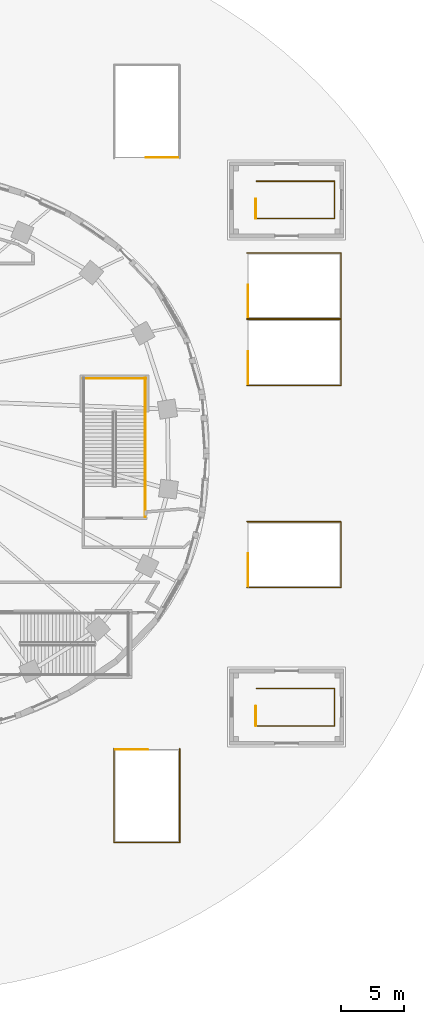
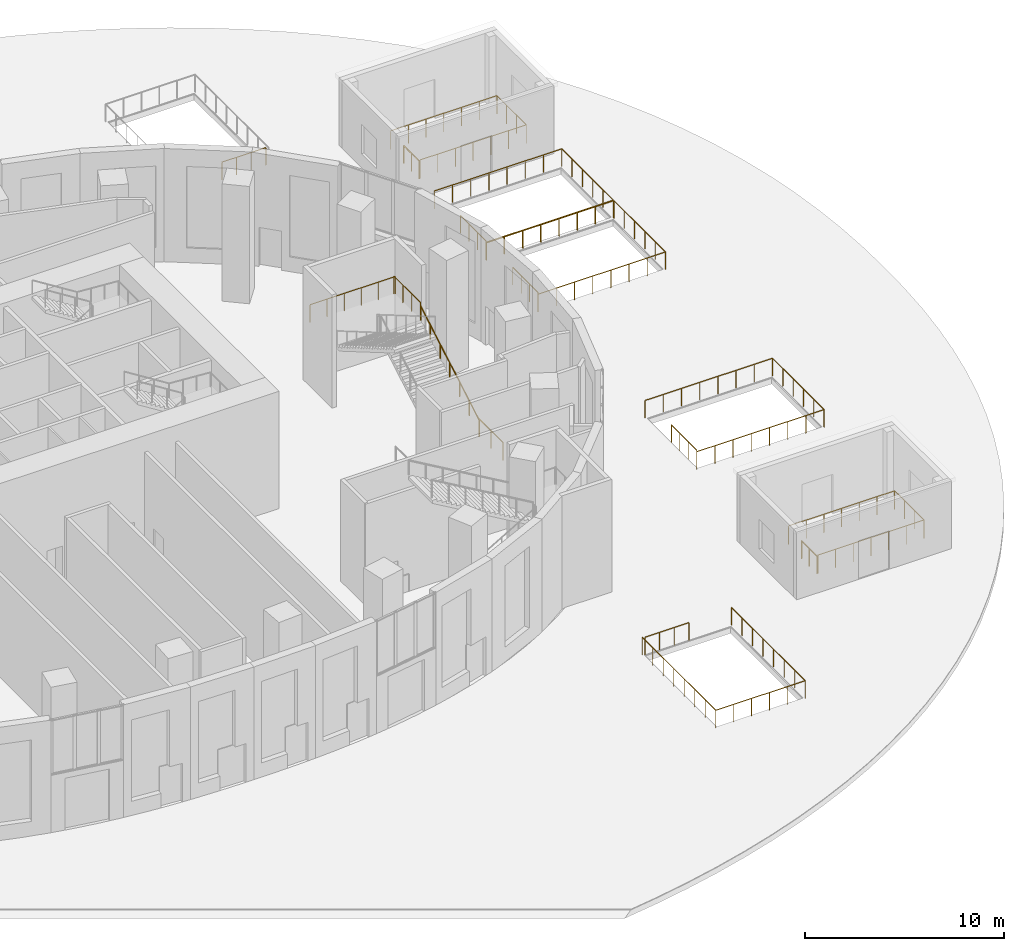
# One storey, part 26 of 27: 17 railings.
"""IFC4 building model written with IfcOpenShell, lengths in metres."""

import ifcopenshell
import ifcopenshell.guid

model = None  # the IFC model being written
_history = None  # IfcOwnerHistory: only IFC2X3 demands one
_inside = {}  # id of a spatial element -> (the spatial element, [elements in it])
_under = {}  # id of a project, library or spatial element -> (it, [spatial elements below it])
_declared = {}  # id of a project -> (the project, [libraries it declares])
_typed = {}  # id of a type object -> (the type object, [elements of that type])
_made_of = {}  # id of a material, layer set ... -> (it, [elements and type objects made of it])


def new_model(schema):
    """Start an empty IFC model of exactly this schema.

    Asked for "IFC4X3", IfcOpenShell would pick the latest addendum, in which some entities
    have other attributes; the version numbers below select the first issue.
    IFC2X3 requires an IfcOwnerHistory on every rooted entity: one is made here for all.
    """
    global model, _history
    if schema == "IFC4X3":
        model = ifcopenshell.file(schema_version=(4, 3, 0, 0))
    else:
        model = ifcopenshell.file(schema=schema)
    _inside.clear()
    _under.clear()
    _declared.clear()
    _typed.clear()
    _made_of.clear()
    _history = None
    if model.schema == "IFC2X3":
        org = make("IfcOrganization", Name="unknown")
        user = make(
            "IfcPersonAndOrganization",
            ThePerson=make("IfcPerson", FamilyName="unknown"),
            TheOrganization=org,
        )
        app = make(
            "IfcApplication",
            ApplicationDeveloper=org,
            Version="unknown",
            ApplicationFullName="unknown",
            ApplicationIdentifier="unknown",
        )
        _history = make(
            "IfcOwnerHistory",
            OwningUser=user,
            OwningApplication=app,
            ChangeAction="ADDED",
            CreationDate=0,
        )
    return model


def make(cls, **values):
    """One entity of the class cls with the attributes given. An attribute that is None is left unset."""
    return model.create_entity(
        cls, **{name: value for name, value in values.items() if value is not None}
    )


def rooted(cls, **values):
    """An entity with a GlobalId (a new one), such as an element, a storey or a relation."""
    return make(cls, GlobalId=ifcopenshell.guid.new(), OwnerHistory=_history, **values)


def si_unit(unit_type, name, prefix=None):
    """IfcSIUnit, for example si_unit("LENGTHUNIT", "METRE", prefix="MILLI")."""
    return make("IfcSIUnit", UnitType=unit_type, Prefix=prefix, Name=name)


def assignment(units):
    """IfcUnitAssignment: the units of a project."""
    return None if units is None else make("IfcUnitAssignment", Units=units)


def point(xyz):
    """IfcCartesianPoint."""
    return None if xyz is None else make("IfcCartesianPoint", Coordinates=xyz)


def direction(xyz):
    """IfcDirection."""
    return None if xyz is None else make("IfcDirection", DirectionRatios=xyz)


def frame(location, z_axis=None, x_axis=None):
    """IfcAxis2Placement3D, a coordinate frame: its origin and axes. An axis left out is left unset."""
    return make(
        "IfcAxis2Placement3D",
        Location=point(location),
        Axis=direction(z_axis),
        RefDirection=direction(x_axis),
    )


def frame_2d(location, x_axis=None):
    """IfcAxis2Placement2D, a coordinate frame in the plane: its origin and x axis."""
    return make(
        "IfcAxis2Placement2D", Location=point(location), RefDirection=direction(x_axis)
    )


def origin():
    """The frame at (0, 0, 0) with its axes left unset."""
    return frame((0.0, 0.0, 0.0))


def origin_2d():
    """The frame at (0, 0) in the plane with its x axis left unset."""
    return frame_2d((0.0, 0.0))


def place(relative_to, where):
    """IfcLocalPlacement: puts the frame where relative to a parent placement (None: the world)."""
    return make(
        "IfcLocalPlacement", PlacementRelTo=relative_to, RelativePlacement=where
    )


def context(
    kind, dimensions, precision=None, world=None, true_north=None, identifier=None
):
    """IfcGeometricRepresentationContext, for example the 3D "Model" context."""
    return make(
        "IfcGeometricRepresentationContext",
        ContextIdentifier=identifier,
        ContextType=kind,
        CoordinateSpaceDimension=dimensions,
        Precision=precision,
        WorldCoordinateSystem=world,
        TrueNorth=true_north,
    )


def subcontext(parent, identifier, kind, view, scale=None):
    """IfcGeometricRepresentationSubContext, for example "Body" below "Model"."""
    return make(
        "IfcGeometricRepresentationSubContext",
        ContextIdentifier=identifier,
        ContextType=kind,
        ParentContext=parent,
        TargetScale=scale,
        TargetView=view,
    )


def project(units=None, contexts=None):
    """IfcProject with its units and contexts."""
    return rooted(
        "IfcProject",
        Name="project",
        RepresentationContexts=contexts,
        UnitsInContext=assignment(units),
    )


def spatial(cls, under=None, at=None, **own):
    """A site, building, storey or space (cls), placed at a placement, below another one or the project."""
    s = rooted(cls, ObjectPlacement=at, **own)
    if under is not None:
        _under.setdefault(under.id(), (under, []))[1].append(s)
    return s


def profile(cls, at=None, kind="AREA", **sizes):
    """A parametric profile (cls). Its sizes go by their IFC names, for example OverallWidth=200.0."""
    return make(cls, ProfileType=kind, Position=at, **sizes)


def circle(**sizes):
    """IfcCircleProfileDef."""
    return profile("IfcCircleProfileDef", **sizes)


def extrude(swept, where, along, depth):
    """IfcExtrudedAreaSolid: the profile swept, set in the frame where, extruded along a direction by depth."""
    return make(
        "IfcExtrudedAreaSolid",
        SweptArea=swept,
        Position=where,
        ExtrudedDirection=direction(along),
        Depth=depth,
    )


def shape(context_of_items, identifier, shape_type, items):
    """IfcShapeRepresentation: the items that make up one representation, for example the "Body"."""
    return make(
        "IfcShapeRepresentation",
        ContextOfItems=context_of_items,
        RepresentationIdentifier=identifier,
        RepresentationType=shape_type,
        Items=items,
    )


def material(Name=None, Category=None):
    """IfcMaterial."""
    return make("IfcMaterial", Name=Name, Category=Category)


def made_of(thing, what):
    """Note that an element or type object is made of a material, layer set ...; save() writes the relation."""
    if what is not None:
        _made_of.setdefault(what.id(), (what, []))[1].append(thing)
    return thing


def type_object(cls, material=None, **own):
    """A type object (cls), such as IfcWallType, which elements share."""
    return made_of(rooted(cls, **own), material)


def element(
    cls,
    number,
    at=None,
    inside=None,
    cuts=None,
    type_object=None,
    material=None,
    context=None,
    identifier="Body",
    shape_type=None,
    held_by="IfcProductDefinitionShape",
    body=None,
    shapes=None,
    **own,
):
    """One element of the class cls, such as IfcWall. Its Tag is "e" and its number.

    at: its placement. inside: the storey or other place that contains it. cuts: it is an
    opening in that element (IfcRelVoidsElement). A single representation is given by context,
    identifier, shape_type and body (its items); several are given by shapes. held_by: the class
    of the entity that holds the representations. save() writes the other relations.
    """
    e = rooted(cls, Tag="e%d" % number, ObjectPlacement=at, **own)
    if body is not None:
        shapes = [shape(context, identifier, shape_type, body)]
    if shapes is not None:
        e.Representation = make(held_by, Representations=shapes)
    if inside is not None:
        _inside.setdefault(inside.id(), (inside, []))[1].append(e)
    if cuts is not None:
        rooted(
            "IfcRelVoidsElement", RelatingBuildingElement=cuts, RelatedOpeningElement=e
        )
    if type_object is not None:
        _typed.setdefault(type_object.id(), (type_object, []))[1].append(e)
    return made_of(e, material)


def aggregate(whole, parts):
    """IfcRelAggregates: a whole, such as a stair, and the parts it consists of."""
    return rooted("IfcRelAggregates", RelatingObject=whole, RelatedObjects=parts)


def save(model, path):
    """Write the relations noted so far, then the file.

    IfcRelAggregates (storeys below a building ...), IfcRelContainedInSpatialStructure (elements
    in a storey), IfcRelDefinesByType, IfcRelAssociatesMaterial and IfcRelDeclares: one each for
    every whole, place, type object, material and project.
    """
    for whole, parts in _under.values():
        aggregate(whole, parts)
    for where, things in _inside.values():
        rooted(
            "IfcRelContainedInSpatialStructure",
            RelatedElements=things,
            RelatingStructure=where,
        )
    for kind, things in _typed.values():
        rooted("IfcRelDefinesByType", RelatedObjects=things, RelatingType=kind)
    for what, things in _made_of.values():
        rooted("IfcRelAssociatesMaterial", RelatedObjects=things, RelatingMaterial=what)
    for by, libraries in _declared.values():
        rooted("IfcRelDeclares", RelatingContext=by, RelatedDefinitions=libraries)
    model.write(path)


model = new_model("IFC4")

# Units and contexts
model_context = context("Model", 3, precision=1e-05, world=origin(), true_north=direction((0.0, 1.0)))
body_context = subcontext(model_context, "Body", "Model", "MODEL_VIEW")
ifc_project = project(units=[si_unit("LENGTHUNIT", "METRE"), si_unit("AREAUNIT", "SQUARE_METRE"), si_unit("VOLUMEUNIT", "CUBIC_METRE"), si_unit("PLANEANGLEUNIT", "RADIAN"), si_unit("MASSUNIT", "GRAM", prefix="KILO")], contexts=[model_context])

# Site, building, storey
site_placement = place(None, origin())
site = spatial("IfcSite", under=ifc_project, at=site_placement, CompositionType="ELEMENT")
building_placement = place(site_placement, origin())
building = spatial("IfcBuilding", under=site, at=building_placement, Name="Rubra Terraces Tower", CompositionType="ELEMENT")
storey_placement = place(building_placement, origin())
storey = spatial("IfcBuildingStorey", under=building, at=storey_placement, Name="L00", CompositionType="ELEMENT", Elevation=0.0)

# Railings
ifc_material_1 = material(Name="Stainless steel", Category="steel")
railing_type_1 = type_object("IfcRailingType", Name="Public stair guard 1100", PredefinedType="GUARDRAIL", material=ifc_material_1)
railing_1_placement = place(storey_placement, frame((24.85009765625, 3.280029296875, 3.60009765625)))
element("IfcRailing", 1, at=railing_1_placement, inside=storey, type_object=railing_type_1, Name="L00 PS2 stair guard 3", PredefinedType="GUARDRAIL", context=body_context, shape_type="SweptSolid", body=[
    extrude(circle(Radius=0.02392578125, at=origin_2d()), frame((0.0, 0.0, 1.076171875), z_axis=(0.0, 1.0, 0.0), x_axis=(-1.0, 0.0, 0.0)), (0.0, 0.0, 1.0), 2.679931640625),
    extrude(circle(Radius=0.02099609375, at=origin_2d()), origin(), (0.0, 0.0, 1.0), 1.052001953125),
    extrude(circle(Radius=0.02099609375, at=origin_2d()), frame((0.0, 0.893310546875, 0.0)), (0.0, 0.0, 1.0), 1.052001953125),
    extrude(circle(Radius=0.02099609375, at=origin_2d()), frame((0.0, 1.78662109375, 0.0)), (0.0, 0.0, 1.0), 1.052001953125),
    extrude(circle(Radius=0.02099609375, at=origin_2d()), frame((0.0, 2.679931640625, 0.0)), (0.0, 0.0, 1.0), 1.052001953125),
])
railing_2_placement = place(storey_placement, frame((24.89990234375, 5.909912109375, 3.60009765625)))
element("IfcRailing", 2, at=railing_2_placement, inside=storey, type_object=railing_type_1, Name="L00 PS2 stair guard 5", PredefinedType="GUARDRAIL", context=body_context, shape_type="SweptSolid", body=[
    extrude(circle(Radius=0.02392578125, at=origin_2d()), frame((0.0, 0.0, 1.076171875), z_axis=(-1.0, 0.0, 0.0), x_axis=(0.0, -1.0, 0.0)), (0.0, 0.0, 1.0), 4.949951171875),
    extrude(circle(Radius=0.02099609375, at=origin_2d()), origin(), (0.0, 0.0, 1.0), 1.052001953125),
    extrude(circle(Radius=0.02099609375, at=origin_2d()), frame((-0.989990234375, 0.0, 0.0)), (0.0, 0.0, 1.0), 1.052001953125),
    extrude(circle(Radius=0.02099609375, at=origin_2d()), frame((-1.97998046875, 0.0, 0.0)), (0.0, 0.0, 1.0), 1.052001953125),
    extrude(circle(Radius=0.02099609375, at=origin_2d()), frame((-2.969970703125, 0.0, 0.0)), (0.0, 0.0, 1.0), 1.052001953125),
    extrude(circle(Radius=0.02099609375, at=origin_2d()), frame((-3.9599609375, 0.0, 0.0)), (0.0, 0.0, 1.0), 1.052001953125),
    extrude(circle(Radius=0.02099609375, at=origin_2d()), frame((-4.949951171875, 0.0, 0.0)), (0.0, 0.0, 1.0), 1.052001953125),
])
railing_3_placement = place(storey_placement, frame((24.85009765625, -5.0, 0.0400390625)))
element("IfcRailing", 3, at=railing_3_placement, inside=storey, type_object=railing_type_1, Name="L00 PS2 stair guard 8", PredefinedType="GUARDRAIL", context=body_context, shape_type="SweptSolid", body=[
    extrude(circle(Radius=0.02392578125, at=origin_2d()), frame((0.0, 0.0, 1.076171875), z_axis=(0.0, 1.0, 0.0), x_axis=(-1.0, 0.0, 0.0)), (0.0, 0.0, 1.0), 2.39990234375),
    extrude(circle(Radius=0.02099609375, at=origin_2d()), origin(), (0.0, 0.0, 1.0), 1.052001953125),
    extrude(circle(Radius=0.02099609375, at=origin_2d()), frame((0.0, 1.199951171875, 0.0)), (0.0, 0.0, 1.0), 1.052001953125),
    extrude(circle(Radius=0.02099609375, at=origin_2d()), frame((0.0, 2.39990234375, 0.0)), (0.0, 0.0, 1.0), 1.052001953125),
])
railing_4_placement = place(storey_placement, frame((32.949951171875, 5.5, 0.0400390625)))
element("IfcRailing", 4, at=railing_4_placement, inside=storey, type_object=railing_type_1, Name="L00 SE1 top well guard 1", PredefinedType="GUARDRAIL", context=body_context, shape_type="SweptSolid", body=[
    extrude(circle(Radius=0.02392578125, at=origin_2d()), frame((0.0, 0.0, 1.076171875), z_axis=(0.0, 1.0, 0.0), x_axis=(-1.0, 0.0, 0.0)), (0.0, 0.0, 1.0), 2.550048828125),
    extrude(circle(Radius=0.02099609375, at=origin_2d()), origin(), (0.0, 0.0, 1.0), 1.052001953125),
    extrude(circle(Radius=0.02099609375, at=origin_2d()), frame((0.0, 0.85009765625, 0.0)), (0.0, 0.0, 1.0), 1.052001953125),
    extrude(circle(Radius=0.02099609375, at=origin_2d()), frame((0.0, 1.699951171875, 0.0)), (0.0, 0.0, 1.0), 1.052001953125),
    extrude(circle(Radius=0.02099609375, at=origin_2d()), frame((0.0, 2.550048828125, 0.0)), (0.0, 0.0, 1.0), 1.052001953125),
])
railing_5_placement = place(storey_placement, frame((32.8798828125, 5.3798828125, 0.0400390625)))
element("IfcRailing", 5, at=railing_5_placement, inside=storey, type_object=railing_type_1, Name="Guard at stair well", PredefinedType="GUARDRAIL", context=body_context, shape_type="SweptSolid", body=[
    extrude(circle(Radius=0.02392578125, at=origin_2d()), frame((0.0, 0.0, 1.076171875), z_axis=(1.0, 0.0, 0.0), x_axis=(0.0, 1.0, 0.0)), (0.0, 0.0, 1.0), 7.400146484375),
    extrude(circle(Radius=0.02392578125, at=origin_2d()), frame((7.400146484375, 0.0, 1.076171875), z_axis=(0.0, 1.0, 0.0), x_axis=(-1.0, 0.0, 0.0)), (0.0, 0.0, 1.0), 5.190185546875),
    extrude(circle(Radius=0.02392578125, at=origin_2d()), frame((7.400146484375, 5.190185546875, 1.076171875), z_axis=(-1.0, 0.0, 0.0), x_axis=(0.0, -1.0, 0.0)), (0.0, 0.0, 1.0), 7.400146484375),
    extrude(circle(Radius=0.02099609375, at=origin_2d()), origin(), (0.0, 0.0, 1.0), 1.052001953125),
    extrude(circle(Radius=0.02099609375, at=origin_2d()), frame((1.05712890625, 0.0, 0.0)), (0.0, 0.0, 1.0), 1.052001953125),
    extrude(circle(Radius=0.02099609375, at=origin_2d()), frame((2.1142578125, 0.0, 0.0)), (0.0, 0.0, 1.0), 1.052001953125),
    extrude(circle(Radius=0.02099609375, at=origin_2d()), frame((3.17138671875, 0.0, 0.0)), (0.0, 0.0, 1.0), 1.052001953125),
    extrude(circle(Radius=0.02099609375, at=origin_2d()), frame((4.228759765625, 0.0, 0.0)), (0.0, 0.0, 1.0), 1.052001953125),
    extrude(circle(Radius=0.02099609375, at=origin_2d()), frame((5.285888671875, 0.0, 0.0)), (0.0, 0.0, 1.0), 1.052001953125),
    extrude(circle(Radius=0.02099609375, at=origin_2d()), frame((6.343017578125, 0.0, 0.0)), (0.0, 0.0, 1.0), 1.052001953125),
    extrude(circle(Radius=0.02099609375, at=origin_2d()), frame((7.400146484375, 0.0, 0.0)), (0.0, 0.0, 1.0), 1.052001953125),
    extrude(circle(Radius=0.02099609375, at=origin_2d()), frame((7.400146484375, 1.0380859375, 0.0)), (0.0, 0.0, 1.0), 1.052001953125),
    extrude(circle(Radius=0.02099609375, at=origin_2d()), frame((7.400146484375, 2.076171875, 0.0)), (0.0, 0.0, 1.0), 1.052001953125),
    extrude(circle(Radius=0.02099609375, at=origin_2d()), frame((7.400146484375, 3.114013671875, 0.0)), (0.0, 0.0, 1.0), 1.052001953125),
    extrude(circle(Radius=0.02099609375, at=origin_2d()), frame((7.400146484375, 4.152099609375, 0.0)), (0.0, 0.0, 1.0), 1.052001953125),
    extrude(circle(Radius=0.02099609375, at=origin_2d()), frame((7.400146484375, 5.190185546875, 0.0)), (0.0, 0.0, 1.0), 1.052001953125),
    extrude(circle(Radius=0.02099609375, at=origin_2d()), frame((6.343017578125, 5.190185546875, 0.0)), (0.0, 0.0, 1.0), 1.052001953125),
    extrude(circle(Radius=0.02099609375, at=origin_2d()), frame((5.285888671875, 5.190185546875, 0.0)), (0.0, 0.0, 1.0), 1.052001953125),
    extrude(circle(Radius=0.02099609375, at=origin_2d()), frame((4.228759765625, 5.190185546875, 0.0)), (0.0, 0.0, 1.0), 1.052001953125),
    extrude(circle(Radius=0.02099609375, at=origin_2d()), frame((3.17138671875, 5.190185546875, 0.0)), (0.0, 0.0, 1.0), 1.052001953125),
    extrude(circle(Radius=0.02099609375, at=origin_2d()), frame((2.1142578125, 5.190185546875, 0.0)), (0.0, 0.0, 1.0), 1.052001953125),
    extrude(circle(Radius=0.02099609375, at=origin_2d()), frame((1.05712890625, 5.190185546875, 0.0)), (0.0, 0.0, 1.0), 1.052001953125),
    extrude(circle(Radius=0.02099609375, at=origin_2d()), frame((0.0, 5.190185546875, 0.0)), (0.0, 0.0, 1.0), 1.052001953125),
])
railing_6_placement = place(storey_placement, frame((32.949951171875, -10.449951171875, 0.0400390625)))
element("IfcRailing", 6, at=railing_6_placement, inside=storey, type_object=railing_type_1, Name="L00 SE2 top well guard 1", PredefinedType="GUARDRAIL", context=body_context, shape_type="SweptSolid", body=[
    extrude(circle(Radius=0.02392578125, at=origin_2d()), frame((0.0, 0.0, 1.076171875), z_axis=(0.0, 1.0, 0.0), x_axis=(-1.0, 0.0, 0.0)), (0.0, 0.0, 1.0), 2.550048828125),
    extrude(circle(Radius=0.02099609375, at=origin_2d()), origin(), (0.0, 0.0, 1.0), 1.052001953125),
    extrude(circle(Radius=0.02099609375, at=origin_2d()), frame((0.0, 0.85009765625, 0.0)), (0.0, 0.0, 1.0), 1.052001953125),
    extrude(circle(Radius=0.02099609375, at=origin_2d()), frame((0.0, 1.699951171875, 0.0)), (0.0, 0.0, 1.0), 1.052001953125),
    extrude(circle(Radius=0.02099609375, at=origin_2d()), frame((0.0, 2.550048828125, 0.0)), (0.0, 0.0, 1.0), 1.052001953125),
])
railing_7_placement = place(storey_placement, frame((32.8798828125, -10.570068359375, 0.0400390625)))
element("IfcRailing", 7, at=railing_7_placement, inside=storey, type_object=railing_type_1, Name="Guard at stair well", PredefinedType="GUARDRAIL", context=body_context, shape_type="SweptSolid", body=[
    extrude(circle(Radius=0.02392578125, at=origin_2d()), frame((0.0, 0.0, 1.076171875), z_axis=(1.0, 0.0, 0.0), x_axis=(0.0, 1.0, 0.0)), (0.0, 0.0, 1.0), 7.400146484375),
    extrude(circle(Radius=0.02392578125, at=origin_2d()), frame((7.400146484375, 0.0, 1.076171875), z_axis=(0.0, 1.0, 0.0), x_axis=(-1.0, 0.0, 0.0)), (0.0, 0.0, 1.0), 5.190185546875),
    extrude(circle(Radius=0.02392578125, at=origin_2d()), frame((7.400146484375, 5.190185546875, 1.076171875), z_axis=(-1.0, 0.0, 0.0), x_axis=(0.0, -1.0, 0.0)), (0.0, 0.0, 1.0), 7.400146484375),
    extrude(circle(Radius=0.02099609375, at=origin_2d()), origin(), (0.0, 0.0, 1.0), 1.052001953125),
    extrude(circle(Radius=0.02099609375, at=origin_2d()), frame((1.05712890625, 0.0, 0.0)), (0.0, 0.0, 1.0), 1.052001953125),
    extrude(circle(Radius=0.02099609375, at=origin_2d()), frame((2.1142578125, 0.0, 0.0)), (0.0, 0.0, 1.0), 1.052001953125),
    extrude(circle(Radius=0.02099609375, at=origin_2d()), frame((3.17138671875, 0.0, 0.0)), (0.0, 0.0, 1.0), 1.052001953125),
    extrude(circle(Radius=0.02099609375, at=origin_2d()), frame((4.228759765625, 0.0, 0.0)), (0.0, 0.0, 1.0), 1.052001953125),
    extrude(circle(Radius=0.02099609375, at=origin_2d()), frame((5.285888671875, 0.0, 0.0)), (0.0, 0.0, 1.0), 1.052001953125),
    extrude(circle(Radius=0.02099609375, at=origin_2d()), frame((6.343017578125, 0.0, 0.0)), (0.0, 0.0, 1.0), 1.052001953125),
    extrude(circle(Radius=0.02099609375, at=origin_2d()), frame((7.400146484375, 0.0, 0.0)), (0.0, 0.0, 1.0), 1.052001953125),
    extrude(circle(Radius=0.02099609375, at=origin_2d()), frame((7.400146484375, 1.0380859375, 0.0)), (0.0, 0.0, 1.0), 1.052001953125),
    extrude(circle(Radius=0.02099609375, at=origin_2d()), frame((7.400146484375, 2.076171875, 0.0)), (0.0, 0.0, 1.0), 1.052001953125),
    extrude(circle(Radius=0.02099609375, at=origin_2d()), frame((7.400146484375, 3.114013671875, 0.0)), (0.0, 0.0, 1.0), 1.052001953125),
    extrude(circle(Radius=0.02099609375, at=origin_2d()), frame((7.400146484375, 4.152099609375, 0.0)), (0.0, 0.0, 1.0), 1.052001953125),
    extrude(circle(Radius=0.02099609375, at=origin_2d()), frame((7.400146484375, 5.190185546875, 0.0)), (0.0, 0.0, 1.0), 1.052001953125),
    extrude(circle(Radius=0.02099609375, at=origin_2d()), frame((6.343017578125, 5.190185546875, 0.0)), (0.0, 0.0, 1.0), 1.052001953125),
    extrude(circle(Radius=0.02099609375, at=origin_2d()), frame((5.285888671875, 5.190185546875, 0.0)), (0.0, 0.0, 1.0), 1.052001953125),
    extrude(circle(Radius=0.02099609375, at=origin_2d()), frame((4.228759765625, 5.190185546875, 0.0)), (0.0, 0.0, 1.0), 1.052001953125),
    extrude(circle(Radius=0.02099609375, at=origin_2d()), frame((3.17138671875, 5.190185546875, 0.0)), (0.0, 0.0, 1.0), 1.052001953125),
    extrude(circle(Radius=0.02099609375, at=origin_2d()), frame((2.1142578125, 5.190185546875, 0.0)), (0.0, 0.0, 1.0), 1.052001953125),
    extrude(circle(Radius=0.02099609375, at=origin_2d()), frame((1.05712890625, 5.190185546875, 0.0)), (0.0, 0.0, 1.0), 1.052001953125),
    extrude(circle(Radius=0.02099609375, at=origin_2d()), frame((0.0, 5.190185546875, 0.0)), (0.0, 0.0, 1.0), 1.052001953125),
])
railing_8_placement = place(storey_placement, frame((27.449951171875, 23.35009765625, 0.0400390625)))
element("IfcRailing", 8, at=railing_8_placement, inside=storey, type_object=railing_type_1, Name="L00 SE6 top well guard 1", PredefinedType="GUARDRAIL", context=body_context, shape_type="SweptSolid", body=[
    extrude(circle(Radius=0.02392578125, at=origin_2d()), frame((0.0, 0.0, 1.076171875), z_axis=(-1.0, 0.0, 0.0), x_axis=(0.0, -1.0, 0.0)), (0.0, 0.0, 1.0), 2.550048828125),
    extrude(circle(Radius=0.02099609375, at=origin_2d()), origin(), (0.0, 0.0, 1.0), 1.052001953125),
    extrude(circle(Radius=0.02099609375, at=origin_2d()), frame((-0.85009765625, 0.0, 0.0)), (0.0, 0.0, 1.0), 1.052001953125),
    extrude(circle(Radius=0.02099609375, at=origin_2d()), frame((-1.699951171875, 0.0, 0.0)), (0.0, 0.0, 1.0), 1.052001953125),
    extrude(circle(Radius=0.02099609375, at=origin_2d()), frame((-2.550048828125, 0.0, 0.0)), (0.0, 0.0, 1.0), 1.052001953125),
])
railing_9_placement = place(storey_placement, frame((22.5, -23.35009765625, 0.0400390625)))
element("IfcRailing", 9, at=railing_9_placement, inside=storey, type_object=railing_type_1, Name="L00 SE7 top well guard 1", PredefinedType="GUARDRAIL", context=body_context, shape_type="SweptSolid", body=[
    extrude(circle(Radius=0.02392578125, at=origin_2d()), frame((0.0, 0.0, 1.076171875), z_axis=(1.0, 0.0, 0.0), x_axis=(0.0, 1.0, 0.0)), (0.0, 0.0, 1.0), 2.550048828125),
    extrude(circle(Radius=0.02099609375, at=origin_2d()), origin(), (0.0, 0.0, 1.0), 1.052001953125),
    extrude(circle(Radius=0.02099609375, at=origin_2d()), frame((0.85009765625, 0.0, 0.0)), (0.0, 0.0, 1.0), 1.052001953125),
    extrude(circle(Radius=0.02099609375, at=origin_2d()), frame((1.699951171875, 0.0, 0.0)), (0.0, 0.0, 1.0), 1.052001953125),
    extrude(circle(Radius=0.02099609375, at=origin_2d()), frame((2.550048828125, 0.0, 0.0)), (0.0, 0.0, 1.0), 1.052001953125),
])
railing_10_placement = place(storey_placement, frame((22.3798828125, -23.280029296875, 0.0400390625)))
element("IfcRailing", 10, at=railing_10_placement, inside=storey, type_object=railing_type_1, Name="Guard at stair well", PredefinedType="GUARDRAIL", context=body_context, shape_type="SweptSolid", body=[
    extrude(circle(Radius=0.02392578125, at=origin_2d()), frame((0.0, 0.0, 1.076171875), z_axis=(0.0, -1.0, 0.0), x_axis=(1.0, 0.0, 0.0)), (0.0, 0.0, 1.0), 7.39990234375),
    extrude(circle(Radius=0.02392578125, at=origin_2d()), frame((0.0, -7.39990234375, 1.076171875), z_axis=(1.0, 0.0, 0.0), x_axis=(0.0, 1.0, 0.0)), (0.0, 0.0, 1.0), 5.190185546875),
    extrude(circle(Radius=0.02392578125, at=origin_2d()), frame((5.190185546875, -7.39990234375, 1.076171875), z_axis=(0.0, 1.0, 0.0), x_axis=(-1.0, 0.0, 0.0)), (0.0, 0.0, 1.0), 7.39990234375),
    extrude(circle(Radius=0.02099609375, at=origin_2d()), origin(), (0.0, 0.0, 1.0), 1.052001953125),
    extrude(circle(Radius=0.02099609375, at=origin_2d()), frame((0.0, -1.05712890625, 0.0)), (0.0, 0.0, 1.0), 1.052001953125),
    extrude(circle(Radius=0.02099609375, at=origin_2d()), frame((0.0, -2.1142578125, 0.0)), (0.0, 0.0, 1.0), 1.052001953125),
    extrude(circle(Radius=0.02099609375, at=origin_2d()), frame((0.0, -3.17138671875, 0.0)), (0.0, 0.0, 1.0), 1.052001953125),
    extrude(circle(Radius=0.02099609375, at=origin_2d()), frame((0.0, -4.228515625, 0.0)), (0.0, 0.0, 1.0), 1.052001953125),
    extrude(circle(Radius=0.02099609375, at=origin_2d()), frame((0.0, -5.28564453125, 0.0)), (0.0, 0.0, 1.0), 1.052001953125),
    extrude(circle(Radius=0.02099609375, at=origin_2d()), frame((0.0, -6.3427734375, 0.0)), (0.0, 0.0, 1.0), 1.052001953125),
    extrude(circle(Radius=0.02099609375, at=origin_2d()), frame((0.0, -7.39990234375, 0.0)), (0.0, 0.0, 1.0), 1.052001953125),
    extrude(circle(Radius=0.02099609375, at=origin_2d()), frame((1.0380859375, -7.39990234375, 0.0)), (0.0, 0.0, 1.0), 1.052001953125),
    extrude(circle(Radius=0.02099609375, at=origin_2d()), frame((2.076171875, -7.39990234375, 0.0)), (0.0, 0.0, 1.0), 1.052001953125),
    extrude(circle(Radius=0.02099609375, at=origin_2d()), frame((3.114013671875, -7.39990234375, 0.0)), (0.0, 0.0, 1.0), 1.052001953125),
    extrude(circle(Radius=0.02099609375, at=origin_2d()), frame((4.152099609375, -7.39990234375, 0.0)), (0.0, 0.0, 1.0), 1.052001953125),
    extrude(circle(Radius=0.02099609375, at=origin_2d()), frame((5.190185546875, -7.39990234375, 0.0)), (0.0, 0.0, 1.0), 1.052001953125),
    extrude(circle(Radius=0.02099609375, at=origin_2d()), frame((5.190185546875, -6.3427734375, 0.0)), (0.0, 0.0, 1.0), 1.052001953125),
    extrude(circle(Radius=0.02099609375, at=origin_2d()), frame((5.190185546875, -5.28564453125, 0.0)), (0.0, 0.0, 1.0), 1.052001953125),
    extrude(circle(Radius=0.02099609375, at=origin_2d()), frame((5.190185546875, -4.228515625, 0.0)), (0.0, 0.0, 1.0), 1.052001953125),
    extrude(circle(Radius=0.02099609375, at=origin_2d()), frame((5.190185546875, -3.17138671875, 0.0)), (0.0, 0.0, 1.0), 1.052001953125),
    extrude(circle(Radius=0.02099609375, at=origin_2d()), frame((5.190185546875, -2.1142578125, 0.0)), (0.0, 0.0, 1.0), 1.052001953125),
    extrude(circle(Radius=0.02099609375, at=origin_2d()), frame((5.190185546875, -1.05712890625, 0.0)), (0.0, 0.0, 1.0), 1.052001953125),
    extrude(circle(Radius=0.02099609375, at=origin_2d()), frame((5.190185546875, 0.0, 0.0)), (0.0, 0.0, 1.0), 1.052001953125),
])
railing_11_placement = place(storey_placement, frame((32.949951171875, 10.75, 0.0400390625)))
element("IfcRailing", 11, at=railing_11_placement, inside=storey, type_object=railing_type_1, Name="L00 SE9 top well guard 1", PredefinedType="GUARDRAIL", context=body_context, shape_type="SweptSolid", body=[
    extrude(circle(Radius=0.02392578125, at=origin_2d()), frame((0.0, 0.0, 1.076171875), z_axis=(0.0, 1.0, 0.0), x_axis=(-1.0, 0.0, 0.0)), (0.0, 0.0, 1.0), 2.550048828125),
    extrude(circle(Radius=0.02099609375, at=origin_2d()), origin(), (0.0, 0.0, 1.0), 1.052001953125),
    extrude(circle(Radius=0.02099609375, at=origin_2d()), frame((0.0, 0.85009765625, 0.0)), (0.0, 0.0, 1.0), 1.052001953125),
    extrude(circle(Radius=0.02099609375, at=origin_2d()), frame((0.0, 1.699951171875, 0.0)), (0.0, 0.0, 1.0), 1.052001953125),
    extrude(circle(Radius=0.02099609375, at=origin_2d()), frame((0.0, 2.550048828125, 0.0)), (0.0, 0.0, 1.0), 1.052001953125),
])
railing_12_placement = place(storey_placement, frame((32.8798828125, 10.6298828125, 0.0400390625)))
element("IfcRailing", 12, at=railing_12_placement, inside=storey, type_object=railing_type_1, Name="Guard at stair well", PredefinedType="GUARDRAIL", context=body_context, shape_type="SweptSolid", body=[
    extrude(circle(Radius=0.02392578125, at=origin_2d()), frame((0.0, 0.0, 1.076171875), z_axis=(1.0, 0.0, 0.0), x_axis=(0.0, 1.0, 0.0)), (0.0, 0.0, 1.0), 7.400146484375),
    extrude(circle(Radius=0.02392578125, at=origin_2d()), frame((7.400146484375, 0.0, 1.076171875), z_axis=(0.0, 1.0, 0.0), x_axis=(-1.0, 0.0, 0.0)), (0.0, 0.0, 1.0), 5.190185546875),
    extrude(circle(Radius=0.02392578125, at=origin_2d()), frame((7.400146484375, 5.190185546875, 1.076171875), z_axis=(-1.0, 0.0, 0.0), x_axis=(0.0, -1.0, 0.0)), (0.0, 0.0, 1.0), 7.400146484375),
    extrude(circle(Radius=0.02099609375, at=origin_2d()), origin(), (0.0, 0.0, 1.0), 1.052001953125),
    extrude(circle(Radius=0.02099609375, at=origin_2d()), frame((1.05712890625, 0.0, 0.0)), (0.0, 0.0, 1.0), 1.052001953125),
    extrude(circle(Radius=0.02099609375, at=origin_2d()), frame((2.1142578125, 0.0, 0.0)), (0.0, 0.0, 1.0), 1.052001953125),
    extrude(circle(Radius=0.02099609375, at=origin_2d()), frame((3.17138671875, 0.0, 0.0)), (0.0, 0.0, 1.0), 1.052001953125),
    extrude(circle(Radius=0.02099609375, at=origin_2d()), frame((4.228759765625, 0.0, 0.0)), (0.0, 0.0, 1.0), 1.052001953125),
    extrude(circle(Radius=0.02099609375, at=origin_2d()), frame((5.285888671875, 0.0, 0.0)), (0.0, 0.0, 1.0), 1.052001953125),
    extrude(circle(Radius=0.02099609375, at=origin_2d()), frame((6.343017578125, 0.0, 0.0)), (0.0, 0.0, 1.0), 1.052001953125),
    extrude(circle(Radius=0.02099609375, at=origin_2d()), frame((7.400146484375, 0.0, 0.0)), (0.0, 0.0, 1.0), 1.052001953125),
    extrude(circle(Radius=0.02099609375, at=origin_2d()), frame((7.400146484375, 1.0380859375, 0.0)), (0.0, 0.0, 1.0), 1.052001953125),
    extrude(circle(Radius=0.02099609375, at=origin_2d()), frame((7.400146484375, 2.076171875, 0.0)), (0.0, 0.0, 1.0), 1.052001953125),
    extrude(circle(Radius=0.02099609375, at=origin_2d()), frame((7.400146484375, 3.114013671875, 0.0)), (0.0, 0.0, 1.0), 1.052001953125),
    extrude(circle(Radius=0.02099609375, at=origin_2d()), frame((7.400146484375, 4.152099609375, 0.0)), (0.0, 0.0, 1.0), 1.052001953125),
    extrude(circle(Radius=0.02099609375, at=origin_2d()), frame((7.400146484375, 5.190185546875, 0.0)), (0.0, 0.0, 1.0), 1.052001953125),
    extrude(circle(Radius=0.02099609375, at=origin_2d()), frame((6.343017578125, 5.190185546875, 0.0)), (0.0, 0.0, 1.0), 1.052001953125),
    extrude(circle(Radius=0.02099609375, at=origin_2d()), frame((5.285888671875, 5.190185546875, 0.0)), (0.0, 0.0, 1.0), 1.052001953125),
    extrude(circle(Radius=0.02099609375, at=origin_2d()), frame((4.228759765625, 5.190185546875, 0.0)), (0.0, 0.0, 1.0), 1.052001953125),
    extrude(circle(Radius=0.02099609375, at=origin_2d()), frame((3.17138671875, 5.190185546875, 0.0)), (0.0, 0.0, 1.0), 1.052001953125),
    extrude(circle(Radius=0.02099609375, at=origin_2d()), frame((2.1142578125, 5.190185546875, 0.0)), (0.0, 0.0, 1.0), 1.052001953125),
    extrude(circle(Radius=0.02099609375, at=origin_2d()), frame((1.05712890625, 5.190185546875, 0.0)), (0.0, 0.0, 1.0), 1.052001953125),
    extrude(circle(Radius=0.02099609375, at=origin_2d()), frame((0.0, 5.190185546875, 0.0)), (0.0, 0.0, 1.0), 1.052001953125),
])
railing_type_2 = type_object("IfcRailingType", Name="Public stair handrail 900", PredefinedType="HANDRAIL", material=ifc_material_1)
railing_13_placement = place(storey_placement, frame((24.85009765625, -2.60009765625, 0.16357421875)))
element("IfcRailing", 13, at=railing_13_placement, inside=storey, type_object=railing_type_2, Name="L00 PS2 stair handrail 1", PredefinedType="HANDRAIL", context=body_context, shape_type="SweptSolid", body=[
    extrude(circle(Radius=0.02392578125, at=origin_2d()), frame((0.0, 0.0, 0.8759765625), z_axis=(0.0, 0.863366468381, 0.504577388787), x_axis=(-1.0, 0.0, 0.0)), (0.0, 0.0, 1.0), 6.810791015625),
    extrude(circle(Radius=0.02099609375, at=origin_2d()), origin(), (0.0, 0.0, 1.0), 0.851806640625),
    extrude(circle(Radius=0.02099609375, at=origin_2d()), frame((0.0, 0.97998046875, 0.57275390625)), (0.0, 0.0, 1.0), 0.851806640625),
    extrude(circle(Radius=0.02099609375, at=origin_2d()), frame((0.0, 1.9599609375, 1.1455078125)), (0.0, 0.0, 1.0), 0.851806640625),
    extrude(circle(Radius=0.02099609375, at=origin_2d()), frame((0.0, 2.93994140625, 1.71826171875)), (0.0, 0.0, 1.0), 0.851806640625),
    extrude(circle(Radius=0.02099609375, at=origin_2d()), frame((0.0, 3.920166015625, 2.291015625)), (0.0, 0.0, 1.0), 0.851806640625),
    extrude(circle(Radius=0.02099609375, at=origin_2d()), frame((0.0, 4.900146484375, 2.86376953125)), (0.0, 0.0, 1.0), 0.851806640625),
    extrude(circle(Radius=0.02099609375, at=origin_2d()), frame((0.0, 5.880126953125, 3.4365234375)), (0.0, 0.0, 1.0), 0.851806640625),
])
ifc_material_2 = material(Name="Steel, powder-coated dark grey", Category="steel")
railing_type_3 = type_object("IfcRailingType", Name="Station stair guard 1100", PredefinedType="GUARDRAIL", material=ifc_material_2)
railing_14_placement = place(storey_placement, frame((33.570068359375, 18.52490234375, 0.0)))
element("IfcRailing", 14, at=railing_14_placement, inside=storey, type_object=railing_type_3, Name="L00 SP1-S top well guard 1", PredefinedType="GUARDRAIL", context=body_context, shape_type="SweptSolid", body=[
    extrude(circle(Radius=0.02392578125, at=origin_2d()), frame((0.0, 0.0, 1.076171875), z_axis=(0.0, 1.0, 0.0), x_axis=(-1.0, 0.0, 0.0)), (0.0, 0.0, 1.0), 1.550048828125),
    extrude(circle(Radius=0.02099609375, at=origin_2d()), origin(), (0.0, 0.0, 1.0), 1.052001953125),
    extrude(circle(Radius=0.02099609375, at=origin_2d()), frame((0.0, 0.77490234375, 0.0)), (0.0, 0.0, 1.0), 1.052001953125),
    extrude(circle(Radius=0.02099609375, at=origin_2d()), frame((0.0, 1.550048828125, 0.0)), (0.0, 0.0, 1.0), 1.052001953125),
])
railing_15_placement = place(storey_placement, frame((33.6201171875, 18.52490234375, 0.0)))
element("IfcRailing", 15, at=railing_15_placement, inside=storey, type_object=railing_type_3, Name="Pavilion SP1 stair well guard", PredefinedType="GUARDRAIL", context=body_context, shape_type="SweptSolid", body=[
    extrude(circle(Radius=0.02392578125, at=origin_2d()), frame((0.0, 0.0, 1.1259765625), z_axis=(1.0, 0.0, 0.0), x_axis=(0.0, 1.0, 0.0)), (0.0, 0.0, 1.0), 6.159912109375),
    extrude(circle(Radius=0.02392578125, at=origin_2d()), frame((6.159912109375, 0.0, 1.1259765625), z_axis=(0.0, 1.0, 0.0), x_axis=(-1.0, 0.0, 0.0)), (0.0, 0.0, 1.0), 2.9501953125),
    extrude(circle(Radius=0.02392578125, at=origin_2d()), frame((6.159912109375, 2.9501953125, 1.1259765625), z_axis=(-1.0, 0.0, 0.0), x_axis=(0.0, -1.0, 0.0)), (0.0, 0.0, 1.0), 6.159912109375),
    extrude(circle(Radius=0.02099609375, at=origin_2d()), origin(), (0.0, 0.0, 1.0), 1.101806640625),
    extrude(circle(Radius=0.02099609375, at=origin_2d()), frame((1.026611328125, 0.0, 0.0)), (0.0, 0.0, 1.0), 1.101806640625),
    extrude(circle(Radius=0.02099609375, at=origin_2d()), frame((2.05322265625, 0.0, 0.0)), (0.0, 0.0, 1.0), 1.101806640625),
    extrude(circle(Radius=0.02099609375, at=origin_2d()), frame((3.080078125, 0.0, 0.0)), (0.0, 0.0, 1.0), 1.101806640625),
    extrude(circle(Radius=0.02099609375, at=origin_2d()), frame((4.106689453125, 0.0, 0.0)), (0.0, 0.0, 1.0), 1.101806640625),
    extrude(circle(Radius=0.02099609375, at=origin_2d()), frame((5.13330078125, 0.0, 0.0)), (0.0, 0.0, 1.0), 1.101806640625),
    extrude(circle(Radius=0.02099609375, at=origin_2d()), frame((6.159912109375, 0.0, 0.0)), (0.0, 0.0, 1.0), 1.101806640625),
    extrude(circle(Radius=0.02099609375, at=origin_2d()), frame((6.159912109375, 0.9833984375, 0.0)), (0.0, 0.0, 1.0), 1.101806640625),
    extrude(circle(Radius=0.02099609375, at=origin_2d()), frame((6.159912109375, 1.966796875, 0.0)), (0.0, 0.0, 1.0), 1.101806640625),
    extrude(circle(Radius=0.02099609375, at=origin_2d()), frame((6.159912109375, 2.9501953125, 0.0)), (0.0, 0.0, 1.0), 1.101806640625),
    extrude(circle(Radius=0.02099609375, at=origin_2d()), frame((5.13330078125, 2.9501953125, 0.0)), (0.0, 0.0, 1.0), 1.101806640625),
    extrude(circle(Radius=0.02099609375, at=origin_2d()), frame((4.106689453125, 2.9501953125, 0.0)), (0.0, 0.0, 1.0), 1.101806640625),
    extrude(circle(Radius=0.02099609375, at=origin_2d()), frame((3.080078125, 2.9501953125, 0.0)), (0.0, 0.0, 1.0), 1.101806640625),
    extrude(circle(Radius=0.02099609375, at=origin_2d()), frame((2.05322265625, 2.9501953125, 0.0)), (0.0, 0.0, 1.0), 1.101806640625),
    extrude(circle(Radius=0.02099609375, at=origin_2d()), frame((1.026611328125, 2.9501953125, 0.0)), (0.0, 0.0, 1.0), 1.101806640625),
    extrude(circle(Radius=0.02099609375, at=origin_2d()), frame((0.0, 2.9501953125, 0.0)), (0.0, 0.0, 1.0), 1.101806640625),
])
railing_16_placement = place(storey_placement, frame((33.570068359375, -21.47509765625, 0.0)))
element("IfcRailing", 16, at=railing_16_placement, inside=storey, type_object=railing_type_3, Name="L00 SP4-S top well guard 1", PredefinedType="GUARDRAIL", context=body_context, shape_type="SweptSolid", body=[
    extrude(circle(Radius=0.02392578125, at=origin_2d()), frame((0.0, 0.0, 1.076171875), z_axis=(0.0, 1.0, 0.0), x_axis=(-1.0, 0.0, 0.0)), (0.0, 0.0, 1.0), 1.550048828125),
    extrude(circle(Radius=0.02099609375, at=origin_2d()), origin(), (0.0, 0.0, 1.0), 1.052001953125),
    extrude(circle(Radius=0.02099609375, at=origin_2d()), frame((0.0, 0.77490234375, 0.0)), (0.0, 0.0, 1.0), 1.052001953125),
    extrude(circle(Radius=0.02099609375, at=origin_2d()), frame((0.0, 1.550048828125, 0.0)), (0.0, 0.0, 1.0), 1.052001953125),
])
railing_17_placement = place(storey_placement, frame((33.6201171875, -21.47509765625, 0.0)))
element("IfcRailing", 17, at=railing_17_placement, inside=storey, type_object=railing_type_3, Name="Pavilion SP4 stair well guard", PredefinedType="GUARDRAIL", context=body_context, shape_type="SweptSolid", body=[
    extrude(circle(Radius=0.02392578125, at=origin_2d()), frame((0.0, 0.0, 1.1259765625), z_axis=(1.0, 0.0, 0.0), x_axis=(0.0, 1.0, 0.0)), (0.0, 0.0, 1.0), 6.159912109375),
    extrude(circle(Radius=0.02392578125, at=origin_2d()), frame((6.159912109375, 0.0, 1.1259765625), z_axis=(0.0, 1.0, 0.0), x_axis=(-1.0, 0.0, 0.0)), (0.0, 0.0, 1.0), 2.9501953125),
    extrude(circle(Radius=0.02392578125, at=origin_2d()), frame((6.159912109375, 2.9501953125, 1.1259765625), z_axis=(-1.0, 0.0, 0.0), x_axis=(0.0, -1.0, 0.0)), (0.0, 0.0, 1.0), 6.159912109375),
    extrude(circle(Radius=0.02099609375, at=origin_2d()), origin(), (0.0, 0.0, 1.0), 1.101806640625),
    extrude(circle(Radius=0.02099609375, at=origin_2d()), frame((1.026611328125, 0.0, 0.0)), (0.0, 0.0, 1.0), 1.101806640625),
    extrude(circle(Radius=0.02099609375, at=origin_2d()), frame((2.05322265625, 0.0, 0.0)), (0.0, 0.0, 1.0), 1.101806640625),
    extrude(circle(Radius=0.02099609375, at=origin_2d()), frame((3.080078125, 0.0, 0.0)), (0.0, 0.0, 1.0), 1.101806640625),
    extrude(circle(Radius=0.02099609375, at=origin_2d()), frame((4.106689453125, 0.0, 0.0)), (0.0, 0.0, 1.0), 1.101806640625),
    extrude(circle(Radius=0.02099609375, at=origin_2d()), frame((5.13330078125, 0.0, 0.0)), (0.0, 0.0, 1.0), 1.101806640625),
    extrude(circle(Radius=0.02099609375, at=origin_2d()), frame((6.159912109375, 0.0, 0.0)), (0.0, 0.0, 1.0), 1.101806640625),
    extrude(circle(Radius=0.02099609375, at=origin_2d()), frame((6.159912109375, 0.9833984375, 0.0)), (0.0, 0.0, 1.0), 1.101806640625),
    extrude(circle(Radius=0.02099609375, at=origin_2d()), frame((6.159912109375, 1.966796875, 0.0)), (0.0, 0.0, 1.0), 1.101806640625),
    extrude(circle(Radius=0.02099609375, at=origin_2d()), frame((6.159912109375, 2.9501953125, 0.0)), (0.0, 0.0, 1.0), 1.101806640625),
    extrude(circle(Radius=0.02099609375, at=origin_2d()), frame((5.13330078125, 2.9501953125, 0.0)), (0.0, 0.0, 1.0), 1.101806640625),
    extrude(circle(Radius=0.02099609375, at=origin_2d()), frame((4.106689453125, 2.9501953125, 0.0)), (0.0, 0.0, 1.0), 1.101806640625),
    extrude(circle(Radius=0.02099609375, at=origin_2d()), frame((3.080078125, 2.9501953125, 0.0)), (0.0, 0.0, 1.0), 1.101806640625),
    extrude(circle(Radius=0.02099609375, at=origin_2d()), frame((2.05322265625, 2.9501953125, 0.0)), (0.0, 0.0, 1.0), 1.101806640625),
    extrude(circle(Radius=0.02099609375, at=origin_2d()), frame((1.026611328125, 2.9501953125, 0.0)), (0.0, 0.0, 1.0), 1.101806640625),
    extrude(circle(Radius=0.02099609375, at=origin_2d()), frame((0.0, 2.9501953125, 0.0)), (0.0, 0.0, 1.0), 1.101806640625),
])

save(model, "model.ifc")
